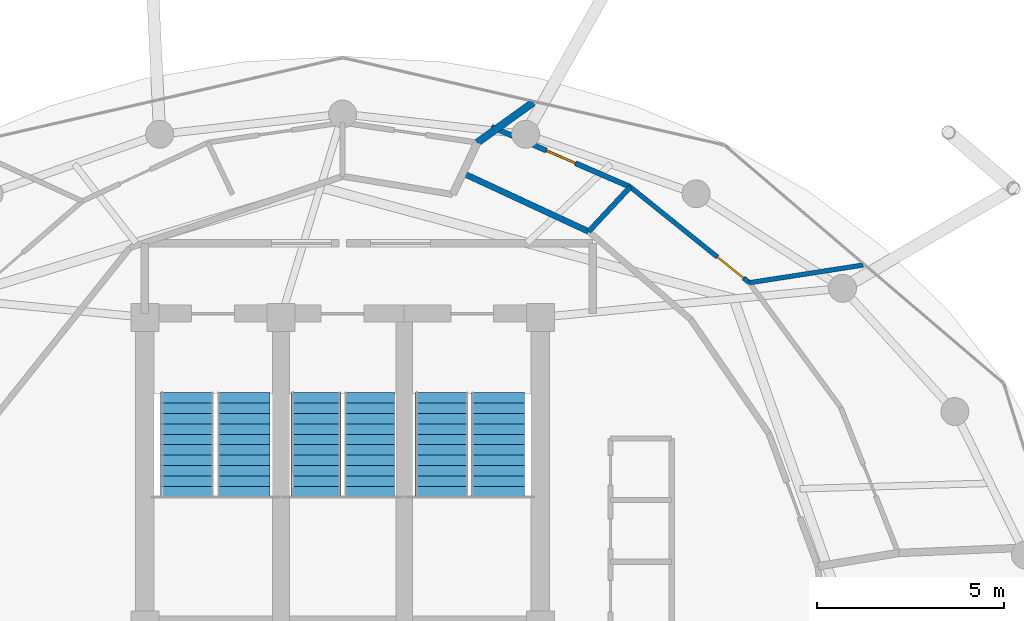
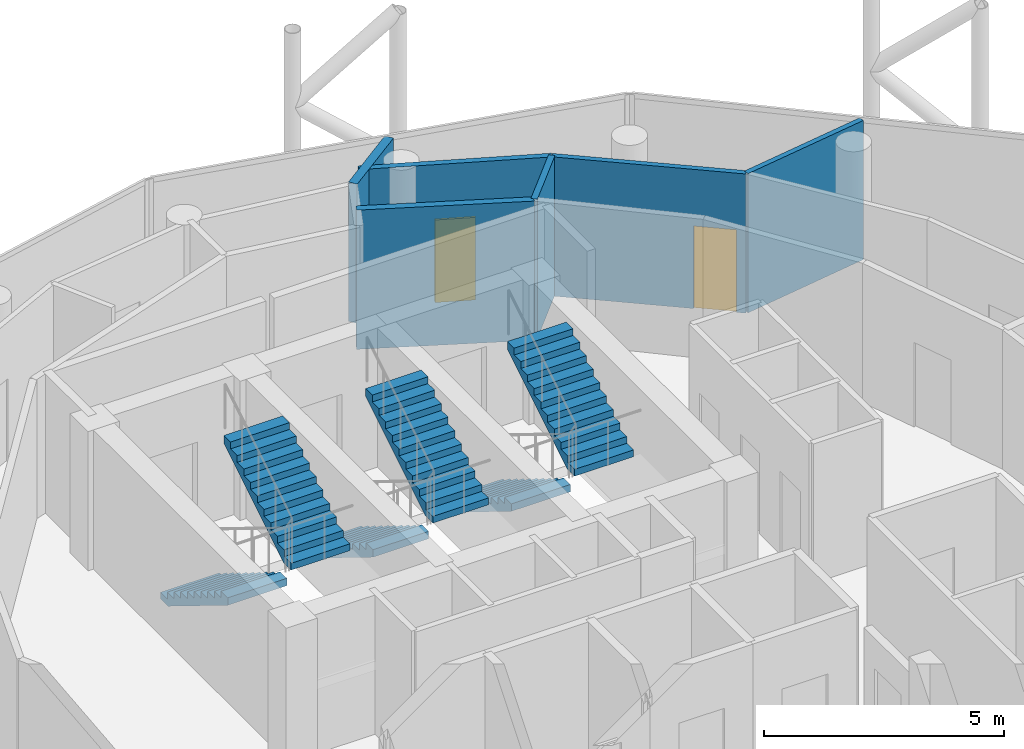
# One storey, part 23 of 24: 6 stair flights, 6 walls, 2 doors, 2 openings, 3 elements without a shape of their own.
"""IFC4 building model written with IfcOpenShell, lengths in metres."""

from ifc_helpers import new_model, si_unit, direction, frame, frame_2d, origin, place, context, subcontext, project, spatial, polyline, rectangle, outline, extrude, material, layer, layer_set, type_object, element, fill, aggregate, save


model = new_model("IFC4")

# Units and contexts
model_context = context("Model", 3, precision=1e-05, world=origin(), true_north=direction((0.0, 1.0)))
body_context = subcontext(model_context, "Body", "Model", "MODEL_VIEW")
ifc_project = project(units=[si_unit("LENGTHUNIT", "METRE"), si_unit("AREAUNIT", "SQUARE_METRE"), si_unit("VOLUMEUNIT", "CUBIC_METRE"), si_unit("PLANEANGLEUNIT", "RADIAN"), si_unit("MASSUNIT", "GRAM", prefix="KILO")], contexts=[model_context])

# Site, building, storey
site_placement = place(None, origin())
site = spatial("IfcSite", under=ifc_project, at=site_placement, CompositionType="ELEMENT")
building_placement = place(site_placement, origin())
building = spatial("IfcBuilding", under=site, at=building_placement, Name="Nuhasar Tower", CompositionType="ELEMENT")
storey_placement = place(building_placement, frame((0.0, 0.0, 293.60009765625)))
storey = spatial("IfcBuildingStorey", under=building, at=storey_placement, Name="L73", CompositionType="ELEMENT", Elevation=293.60009765625)

# Wall
ifc_material_1 = material(Name="Gypsum Board", Category="gypsum")
ifc_layer_1 = layer(ifc_material_1, 0.159912109375)
ifc_layer_set_1 = layer_set([ifc_layer_1], Name="Gypsum Board")
wall_type_1 = type_object("IfcWallType", Name="WL-CORR-160", PredefinedType="PARTITIONING", material=ifc_layer_set_1)
wall_1_placement = place(storey_placement, frame((45.594970703125, 39.60009765625, 0.0), z_axis=(0.0, 0.0, 1.0), x_axis=(-0.907123576348, 0.420864369166, 0.0)))
element("IfcWall", 1, at=wall_1_placement, inside=storey, type_object=wall_type_1, Name="L73 Interior Partition CORR-08", PredefinedType="PARTITIONING", context=body_context, shape_type="SweptSolid", body=[
    extrude(rectangle(XDim=3.718505859375, YDim=0.159912109375, at=frame_2d((1.859375, 0.0))), origin(), (0.0, 0.0, 1.0), 3.539794921875),
])

# Wall, opening, door
ifc_layer_2 = layer(ifc_material_1, 0.125)
ifc_layer_set_2 = layer_set([ifc_layer_2], Name="Gypsum Board")
wall_type_2 = type_object("IfcWallType", Name="WL-PART-125", PredefinedType="PARTITIONING", material=ifc_layer_set_2)
wall_2_placement = place(storey_placement, frame((46.7099609375, 40.794921875, 0.0), z_axis=(0.0, 0.0, 1.0), x_axis=(0.779367114883, -0.62656755441, 0.0)))
wall_2 = element("IfcWall", 2, at=wall_2_placement, inside=storey, type_object=wall_type_2, Name="L73 Interior Partition UMID-04-A-06", PredefinedType="PARTITIONING", context=body_context, shape_type="SweptSolid", body=[
    extrude(rectangle(XDim=4.098388671875, YDim=0.125, at=frame_2d((2.04931640625, 0.0))), origin(), (0.0, 0.0, 1.0), 3.539794921875),
])
opening_1_placement = place(wall_2_placement, frame((2.998046875, 0.0, 0.0)))
opening_1 = element("IfcOpeningElement", 3, at=opening_1_placement, cuts=wall_2, Name="Opening DR-01", PredefinedType="OPENING", context=body_context, shape_type="SweptSolid", body=[
    extrude(rectangle(XDim=0.89990234375, YDim=2.10009765625, at=frame_2d((0.449951171875, 1.050048828125))), frame((0.0, 0.072509765625, 0.0), z_axis=(0.0, -1.0, 0.0), x_axis=(1.0, 0.0, 0.0)), (0.0, 0.0, 1.0), 0.14501953125),
])
ifc_material_2 = material(Name="Timber Oak", Category="wood")
door_type_1 = type_object("IfcDoorType", Name="DR-ROOM-900", OperationType="NOTDEFINED", PredefinedType="DOOR", material=ifc_material_2)
door_1_placement = place(opening_1_placement, origin())
door_1 = element("IfcDoor", 4, at=door_1_placement, inside=storey, type_object=door_type_1, Name="L73 U04 Bedroom Door", OperationType="SINGLE_SWING_RIGHT", OverallHeight=2.10009765625, OverallWidth=0.89990234375, PredefinedType="DOOR", context=body_context, shape_type="SweptSolid", body=[
    extrude(rectangle(XDim=0.89990234375, YDim=2.10009765625, at=frame_2d((0.449951171875, 1.050048828125))), frame((0.0, 0.02490234375, 0.0), z_axis=(0.0, -1.0, 0.0), x_axis=(1.0, 0.0, 0.0)), (0.0, 0.0, 1.0), 0.050048828125),
])
fill(opening_1, door_1)

# Walls
wall_3_placement = place(storey_placement, frame((49.904052734375, 38.22705078125, 0.0), z_axis=(0.0, 0.0, 1.0), x_axis=(0.988120477063, 0.153681237659, 0.0)))
element("IfcWall", 5, at=wall_3_placement, inside=storey, type_object=wall_type_2, Name="L73 Interior Partition UOUT-04-B1", PredefinedType="PARTITIONING", context=body_context, shape_type="SweptSolid", body=[
    extrude(rectangle(XDim=3.08349609375, YDim=0.125, at=frame_2d((1.541748046875, 0.0))), origin(), (0.0, 0.0, 1.0), 3.539794921875),
])
ifc_material_3 = material(Name="Concrete C40/50 precast", Category="concrete")
ifc_layer_3 = layer(ifc_material_3, 0.199951171875)
ifc_layer_set_3 = layer_set([ifc_layer_3], Name="Concrete C40/50 precast")
wall_type_3 = type_object("IfcWallType", Name="WL-UNIT-200", PredefinedType="PARTITIONING", material=ifc_layer_set_3)
wall_4_placement = place(storey_placement, frame((42.611083984375, 41.98388671875, 0.0), z_axis=(0.0, 0.0, 1.0), x_axis=(0.812072329423, 0.583556793967, 0.0)))
element("IfcWall", 6, at=wall_4_placement, inside=storey, type_object=wall_type_3, Name="L73 Interior Partition URAD-10-NW-S2", PredefinedType="PARTITIONING", context=body_context, shape_type="SweptSolid", body=[
    extrude(rectangle(XDim=1.8408203125, YDim=0.199951171875, at=frame_2d((0.92041015625, 0.0))), origin(), (0.0, 0.0, 1.0), 3.539794921875),
])

# Wall, opening, door
ifc_layer_4 = layer(ifc_material_3, 0.139892578125)
ifc_layer_set_4 = layer_set([ifc_layer_4], Name="Concrete C40/50 precast")
wall_type_4 = type_object("IfcWallType", Name="WL-WET-140", PredefinedType="PARTITIONING", material=ifc_layer_set_4)
wall_5_placement = place(storey_placement, frame((42.990966796875, 42.408935546875, 0.0), z_axis=(0.0, 0.0, 1.0), x_axis=(0.917335052278, -0.398116065818, 0.0)))
wall_5 = element("IfcWall", 7, at=wall_5_placement, inside=storey, type_object=wall_type_4, Name="L73 Interior Partition UMID-04-B-08", PredefinedType="PARTITIONING", context=body_context, shape_type="SweptSolid", body=[
    extrude(rectangle(XDim=4.05419921875, YDim=0.139892578125, at=frame_2d((2.027099609375, 0.0))), origin(), (0.0, 0.0, 1.0), 3.539794921875),
])
opening_2_placement = place(wall_5_placement, frame((1.60205078125, 0.0, 0.0)))
opening_2 = element("IfcOpeningElement", 8, at=opening_2_placement, cuts=wall_5, Name="Opening DB-01", PredefinedType="OPENING", context=body_context, shape_type="SweptSolid", body=[
    extrude(rectangle(XDim=0.85009765625, YDim=2.10009765625, at=frame_2d((0.425048828125, 1.050048828125))), frame((0.0, 0.080078125, 0.0), z_axis=(0.0, -1.0, 0.0), x_axis=(1.0, 0.0, 0.0)), (0.0, 0.0, 1.0), 0.159912109375),
])
door_type_2 = type_object("IfcDoorType", Name="DR-BATH-850", OperationType="NOTDEFINED", PredefinedType="DOOR", material=ifc_material_2)
door_2_placement = place(opening_2_placement, origin())
door_2 = element("IfcDoor", 9, at=door_2_placement, inside=storey, type_object=door_type_2, Name="L73 U04 Bathroom Door", OperationType="SINGLE_SWING_LEFT", OverallHeight=2.10009765625, OverallWidth=0.85009765625, PredefinedType="DOOR", context=body_context, shape_type="SweptSolid", body=[
    extrude(rectangle(XDim=0.85009765625, YDim=2.10009765625, at=frame_2d((0.425048828125, 1.050048828125))), frame((0.0, 0.02490234375, 0.0), z_axis=(0.0, -1.0, 0.0), x_axis=(1.0, 0.0, 0.0)), (0.0, 0.0, 1.0), 0.050048828125),
])
fill(opening_2, door_2)

# Wall
wall_6_placement = place(storey_placement, frame((45.594970703125, 39.60009765625, 0.0), z_axis=(0.0, 0.0, 1.0), x_axis=(0.682259699027, 0.731109911767, 0.0)))
element("IfcWall", 10, at=wall_6_placement, inside=storey, type_object=wall_type_4, Name="L73 Interior Partition UIN-04-K", PredefinedType="PARTITIONING", context=body_context, shape_type="SweptSolid", body=[
    extrude(rectangle(XDim=1.63427734375, YDim=0.139892578125, at=frame_2d((0.817138671875, 0.0))), origin(), (0.0, 0.0, 1.0), 3.539794921875),
])

# Stair, stair flights
ifc_material_4 = material(Name="Concrete C45/55", Category="concrete")
stair_type_1 = type_object("IfcStairType", Name="STR-ST-01-2F-22R-1727", PredefinedType="HALF_TURN_STAIR", material=ifc_material_4)
stair_1_placement = place(storey_placement, origin())
stair_1 = element("IfcStair", 11, at=stair_1_placement, inside=storey, type_object=stair_type_1, Name="L73 Exit Stair ST-01", PredefinedType="HALF_TURN_STAIR")
stair_flight_type_1 = type_object("IfcStairFlightType", Name="SFL-ST-01-11R-1727", PredefinedType="STRAIGHT", material=ifc_material_4)
stair_flight_1_placement = place(storey_placement, frame((34.830078125, 35.284912109375, 0.0), z_axis=(0.0, 0.0, 1.0), x_axis=(0.0, -1.0, 0.0)))
stair_flight_1 = element("IfcStairFlight", 12, at=stair_flight_1_placement, type_object=stair_flight_type_1, Name="ST-01 flight 1", NumberOfRisers=11, NumberOfTreads=10, PredefinedType="STRAIGHT", RiserHeight=0.172727, TreadLength=0.28, context=body_context, shape_type="SweptSolid", body=[
    extrude(outline(polyline([(0.0, 0.0), (0.0, 0.172607421875), (0.280029296875, 0.172607421875), (0.280029296875, 0.345458984375), (0.56005859375, 0.345458984375), (0.56005859375, 0.51806640625), (0.840087890625, 0.51806640625), (0.840087890625, 0.69091796875), (1.1201171875, 0.69091796875), (1.1201171875, 0.863525390625), (1.39990234375, 0.863525390625), (1.39990234375, 1.036376953125), (1.679931640625, 1.036376953125), (1.679931640625, 1.208984375), (1.9599609375, 1.208984375), (1.9599609375, 1.3818359375), (2.239990234375, 1.3818359375), (2.239990234375, 1.554443359375), (2.52001953125, 1.554443359375), (2.52001953125, 1.727294921875), (2.800048828125, 1.727294921875), (2.800048828125, 1.89990234375), (2.800048828125, 1.539306640625), (0.3046875, 0.0), (0.0, 0.0)])), frame((0.0, 0.7099609375, 0.0), z_axis=(0.0, -1.0, 0.0), x_axis=(1.0, 0.0, 0.0)), (0.0, 0.0, 1.0), 1.419921875),
])
stair_flight_2_placement = place(storey_placement, frame((36.35009765625, 32.485107421875, 1.89990234375), z_axis=(0.0, 0.0, 1.0), x_axis=(0.0, 1.0, 0.0)))
stair_flight_2 = element("IfcStairFlight", 13, at=stair_flight_2_placement, type_object=stair_flight_type_1, Name="ST-01 flight 2", NumberOfRisers=11, NumberOfTreads=10, PredefinedType="STRAIGHT", RiserHeight=0.172727, TreadLength=0.28, context=body_context, shape_type="SweptSolid", body=[
    extrude(outline(polyline([(0.0, 0.0), (0.0, 0.172607421875), (0.280029296875, 0.172607421875), (0.280029296875, 0.345458984375), (0.56005859375, 0.345458984375), (0.56005859375, 0.51806640625), (0.840087890625, 0.51806640625), (0.840087890625, 0.69091796875), (1.1201171875, 0.69091796875), (1.1201171875, 0.863525390625), (1.39990234375, 0.863525390625), (1.39990234375, 1.036376953125), (1.679931640625, 1.036376953125), (1.679931640625, 1.208984375), (1.9599609375, 1.208984375), (1.9599609375, 1.3818359375), (2.239990234375, 1.3818359375), (2.239990234375, 1.554443359375), (2.52001953125, 1.554443359375), (2.52001953125, 1.727294921875), (2.800048828125, 1.727294921875), (2.800048828125, 1.89990234375), (2.800048828125, 1.539306640625), (0.3046875, 0.0), (0.0, 0.0)])), frame((0.0, 0.7099609375, 0.0), z_axis=(0.0, -1.0, 0.0), x_axis=(1.0, 0.0, 0.0)), (0.0, 0.0, 1.0), 1.419921875),
])
aggregate(stair_1, [stair_flight_1, stair_flight_2])

stair_type_2 = type_object("IfcStairType", Name="STR-ST-02-2F-22R-1727", PredefinedType="HALF_TURN_STAIR", material=ifc_material_4)
stair_2_placement = place(storey_placement, origin())
stair_2 = element("IfcStair", 14, at=stair_2_placement, inside=storey, type_object=stair_type_2, Name="L73 Exit Stair ST-02", PredefinedType="HALF_TURN_STAIR")
stair_flight_type_2 = type_object("IfcStairFlightType", Name="SFL-ST-02-11R-1727", PredefinedType="STRAIGHT", material=ifc_material_4)
stair_flight_3_placement = place(storey_placement, frame((41.64990234375, 35.284912109375, 0.0), z_axis=(0.0, 0.0, 1.0), x_axis=(0.0, -1.0, 0.0)))
stair_flight_3 = element("IfcStairFlight", 15, at=stair_flight_3_placement, type_object=stair_flight_type_2, Name="ST-02 flight 1", NumberOfRisers=11, NumberOfTreads=10, PredefinedType="STRAIGHT", RiserHeight=0.172727, TreadLength=0.28, context=body_context, shape_type="SweptSolid", body=[
    extrude(outline(polyline([(0.0, 0.0), (0.0, 0.172607421875), (0.280029296875, 0.172607421875), (0.280029296875, 0.345458984375), (0.56005859375, 0.345458984375), (0.56005859375, 0.51806640625), (0.840087890625, 0.51806640625), (0.840087890625, 0.69091796875), (1.1201171875, 0.69091796875), (1.1201171875, 0.863525390625), (1.39990234375, 0.863525390625), (1.39990234375, 1.036376953125), (1.679931640625, 1.036376953125), (1.679931640625, 1.208984375), (1.9599609375, 1.208984375), (1.9599609375, 1.3818359375), (2.239990234375, 1.3818359375), (2.239990234375, 1.554443359375), (2.52001953125, 1.554443359375), (2.52001953125, 1.727294921875), (2.800048828125, 1.727294921875), (2.800048828125, 1.89990234375), (2.800048828125, 1.539306640625), (0.3046875, 0.0), (0.0, 0.0)])), frame((0.0, 0.7099609375, 0.0), z_axis=(0.0, -1.0, 0.0), x_axis=(1.0, 0.0, 0.0)), (0.0, 0.0, 1.0), 1.419921875),
])
stair_flight_4_placement = place(storey_placement, frame((43.169921875, 32.485107421875, 1.89990234375), z_axis=(0.0, 0.0, 1.0), x_axis=(0.0, 1.0, 0.0)))
stair_flight_4 = element("IfcStairFlight", 16, at=stair_flight_4_placement, type_object=stair_flight_type_2, Name="ST-02 flight 2", NumberOfRisers=11, NumberOfTreads=10, PredefinedType="STRAIGHT", RiserHeight=0.172727, TreadLength=0.28, context=body_context, shape_type="SweptSolid", body=[
    extrude(outline(polyline([(0.0, 0.0), (0.0, 0.172607421875), (0.280029296875, 0.172607421875), (0.280029296875, 0.345458984375), (0.56005859375, 0.345458984375), (0.56005859375, 0.51806640625), (0.840087890625, 0.51806640625), (0.840087890625, 0.69091796875), (1.1201171875, 0.69091796875), (1.1201171875, 0.863525390625), (1.39990234375, 0.863525390625), (1.39990234375, 1.036376953125), (1.679931640625, 1.036376953125), (1.679931640625, 1.208984375), (1.9599609375, 1.208984375), (1.9599609375, 1.3818359375), (2.239990234375, 1.3818359375), (2.239990234375, 1.554443359375), (2.52001953125, 1.554443359375), (2.52001953125, 1.727294921875), (2.800048828125, 1.727294921875), (2.800048828125, 1.89990234375), (2.800048828125, 1.539306640625), (0.3046875, 0.0), (0.0, 0.0)])), frame((0.0, 0.7099609375, 0.0), z_axis=(0.0, -1.0, 0.0), x_axis=(1.0, 0.0, 0.0)), (0.0, 0.0, 1.0), 1.419921875),
])
aggregate(stair_2, [stair_flight_3, stair_flight_4])

stair_type_3 = type_object("IfcStairType", Name="STR-ST-03-2F-22R-1727", PredefinedType="HALF_TURN_STAIR", material=ifc_material_4)
stair_3_placement = place(storey_placement, origin())
stair_3 = element("IfcStair", 17, at=stair_3_placement, inside=storey, type_object=stair_type_3, Name="L73 Exit Stair ST-03", PredefinedType="HALF_TURN_STAIR")
stair_flight_type_3 = type_object("IfcStairFlightType", Name="SFL-ST-03-11R-1727", PredefinedType="STRAIGHT", material=ifc_material_4)
stair_flight_5_placement = place(storey_placement, frame((38.280029296875, 35.284912109375, 0.0), z_axis=(0.0, 0.0, 1.0), x_axis=(0.0, -1.0, 0.0)))
stair_flight_5 = element("IfcStairFlight", 18, at=stair_flight_5_placement, type_object=stair_flight_type_3, Name="ST-03 flight 1", NumberOfRisers=11, NumberOfTreads=10, PredefinedType="STRAIGHT", RiserHeight=0.172727, TreadLength=0.28, context=body_context, shape_type="SweptSolid", body=[
    extrude(outline(polyline([(0.0, 0.0), (0.0, 0.172607421875), (0.280029296875, 0.172607421875), (0.280029296875, 0.345458984375), (0.56005859375, 0.345458984375), (0.56005859375, 0.51806640625), (0.840087890625, 0.51806640625), (0.840087890625, 0.69091796875), (1.1201171875, 0.69091796875), (1.1201171875, 0.863525390625), (1.39990234375, 0.863525390625), (1.39990234375, 1.036376953125), (1.679931640625, 1.036376953125), (1.679931640625, 1.208984375), (1.9599609375, 1.208984375), (1.9599609375, 1.3818359375), (2.239990234375, 1.3818359375), (2.239990234375, 1.554443359375), (2.52001953125, 1.554443359375), (2.52001953125, 1.727294921875), (2.800048828125, 1.727294921875), (2.800048828125, 1.89990234375), (2.800048828125, 1.539306640625), (0.3046875, 0.0), (0.0, 0.0)])), frame((0.0, 0.669921875, 0.0), z_axis=(0.0, -1.0, 0.0), x_axis=(1.0, 0.0, 0.0)), (0.0, 0.0, 1.0), 1.340087890625),
])
stair_flight_6_placement = place(storey_placement, frame((39.719970703125, 32.485107421875, 1.89990234375), z_axis=(0.0, 0.0, 1.0), x_axis=(0.0, 1.0, 0.0)))
stair_flight_6 = element("IfcStairFlight", 19, at=stair_flight_6_placement, type_object=stair_flight_type_3, Name="ST-03 flight 2", NumberOfRisers=11, NumberOfTreads=10, PredefinedType="STRAIGHT", RiserHeight=0.172727, TreadLength=0.28, context=body_context, shape_type="SweptSolid", body=[
    extrude(outline(polyline([(0.0, 0.0), (0.0, 0.172607421875), (0.280029296875, 0.172607421875), (0.280029296875, 0.345458984375), (0.56005859375, 0.345458984375), (0.56005859375, 0.51806640625), (0.840087890625, 0.51806640625), (0.840087890625, 0.69091796875), (1.1201171875, 0.69091796875), (1.1201171875, 0.863525390625), (1.39990234375, 0.863525390625), (1.39990234375, 1.036376953125), (1.679931640625, 1.036376953125), (1.679931640625, 1.208984375), (1.9599609375, 1.208984375), (1.9599609375, 1.3818359375), (2.239990234375, 1.3818359375), (2.239990234375, 1.554443359375), (2.52001953125, 1.554443359375), (2.52001953125, 1.727294921875), (2.800048828125, 1.727294921875), (2.800048828125, 1.89990234375), (2.800048828125, 1.539306640625), (0.3046875, 0.0), (0.0, 0.0)])), frame((0.0, 0.669921875, 0.0), z_axis=(0.0, -1.0, 0.0), x_axis=(1.0, 0.0, 0.0)), (0.0, 0.0, 1.0), 1.340087890625),
])
aggregate(stair_3, [stair_flight_5, stair_flight_6])

save(model, "model.ifc")
